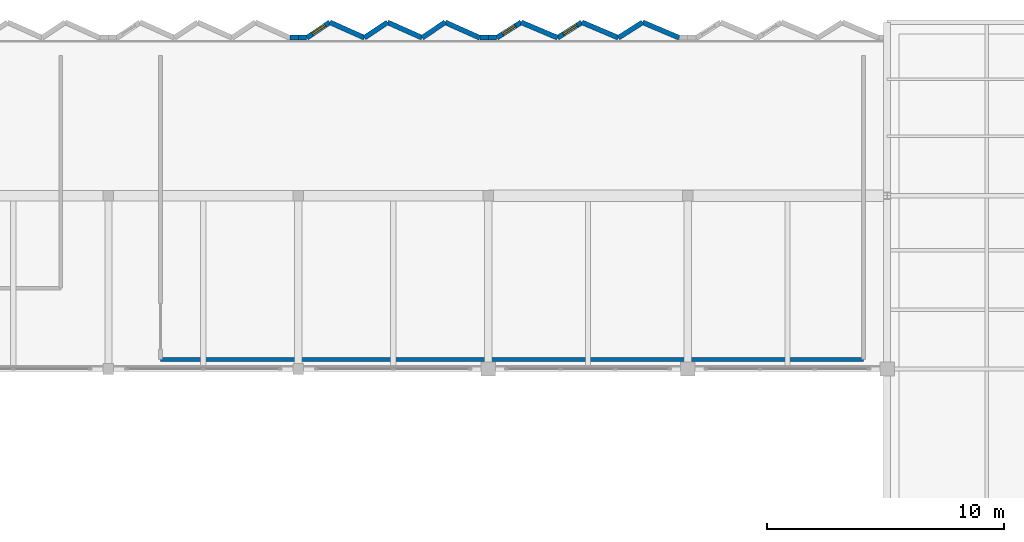
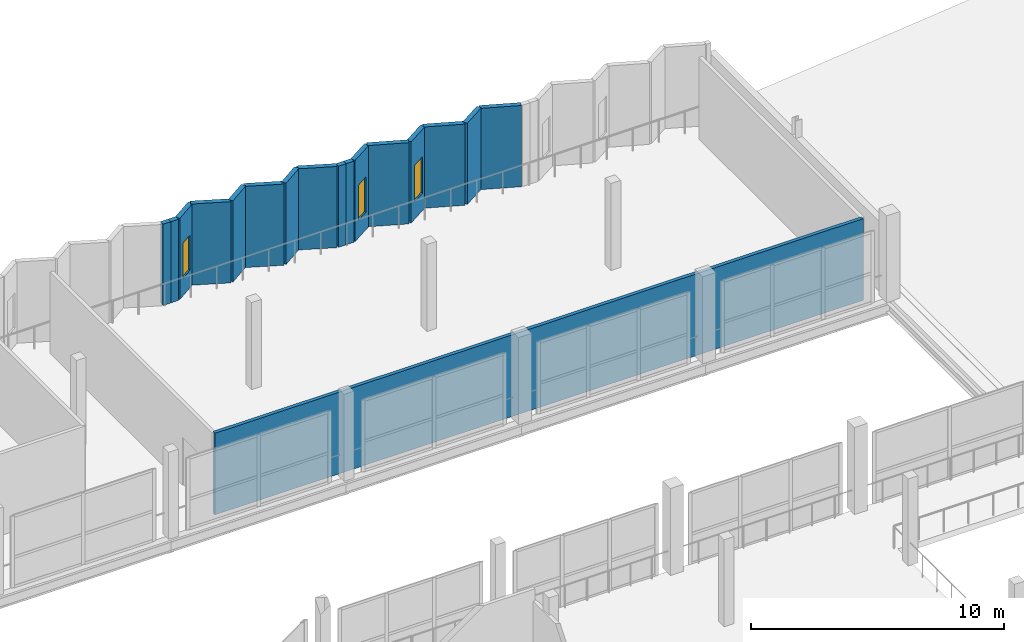
# One storey, part 41 of 53: 17 walls, 3 windows, 3 openings.
"""IFC4 building model written with IfcOpenShell, lengths in metres."""

from ifc_helpers import new_model, si_unit, direction, frame, frame_2d, origin, place, context, subcontext, project, spatial, rectangle, extrude, material, layer, layer_set, type_object, element, fill, save


model = new_model("IFC4")

# Units and contexts
model_context = context("Model", 3, precision=1e-05, world=origin(), true_north=direction((0.0, 1.0)))
body_context = subcontext(model_context, "Body", "Model", "MODEL_VIEW")
ifc_project = project(units=[si_unit("LENGTHUNIT", "METRE"), si_unit("AREAUNIT", "SQUARE_METRE"), si_unit("VOLUMEUNIT", "CUBIC_METRE"), si_unit("PLANEANGLEUNIT", "RADIAN"), si_unit("MASSUNIT", "GRAM", prefix="KILO")], contexts=[model_context])

# Site, building, storey
site_placement = place(None, origin())
site = spatial("IfcSite", under=ifc_project, at=site_placement, CompositionType="ELEMENT")
building_placement = place(site_placement, origin())
building = spatial("IfcBuilding", under=site, at=building_placement, Name="Vharandega Faculty of Natural Sciences", CompositionType="ELEMENT")
storey_placement = place(building_placement, frame((0.0, 0.0, 10.199951171875)))
storey = spatial("IfcBuildingStorey", under=building, at=storey_placement, Name="L02", CompositionType="ELEMENT", Elevation=10.199951171875)

# Walls
ifc_material_1 = material(Name="Precast concrete C40/50", Category="concrete")
ifc_layer_1 = layer(ifc_material_1, 0.2099609375, Name="Precast concrete C40/50")
ifc_layer_set_1 = layer_set([ifc_layer_1], Name="Precast concrete C40/50")
wall_type_1 = type_object("IfcWallType", Name="Commons Sawtooth Street Wall 210", PredefinedType="SOLIDWALL", material=ifc_layer_set_1)
for number, where, z_axis, x_axis, name in (
    (1, (47.64990234375, 110.949951171875, 0.0), (0.0, 0.0, 1.0), (1.0, 0.0, 0.0), "Exterior Wall EW-V2SHL-L02-7R"),
    (2, (48.0, 110.949951171875, 0.0), (0.0, 0.0, 1.0), (1.0, 0.0, 0.0), "Exterior Wall EW-V2SHL-L02-7L"),
    (3, (55.64990234375, 110.949951171875, 0.0), (0.0, 0.0, 1.0), (1.0, 0.0, 0.0), "Exterior Wall EW-V2SHL-L02-8R"),
    (4, (56.0, 110.949951171875, 0.0), (0.0, 0.0, 1.0), (1.0, 0.0, 0.0), "Exterior Wall EW-V2SHL-L02-8L"),
):
    element("IfcWall", number, at=place(storey_placement, frame(where, z_axis=z_axis, x_axis=x_axis)), inside=storey, type_object=wall_type_1, Name=name, PredefinedType="SOLIDWALL", context=body_context, shape_type="SweptSolid", body=[
        extrude(rectangle(XDim=0.35009765625, YDim=0.2099609375, at=frame_2d((0.175048828125, 0.0))), origin(), (0.0, 0.0, 1.0), 3.920166015625),
    ])

# Wall, opening, window
wall_1_placement = place(storey_placement, frame((48.360107421875, 110.949951171875, 0.0), z_axis=(0.0, 0.0, 1.0), x_axis=(0.830858868059, 0.556483190553, 0.0)))
wall_1 = element("IfcWall", 5, at=wall_1_placement, inside=storey, type_object=wall_type_1, Name="Exterior Wall EW-V2SAW-L02-19G", PredefinedType="SOLIDWALL", context=body_context, shape_type="SweptSolid", body=[
    extrude(rectangle(XDim=1.168212890625, YDim=0.2099609375, at=frame_2d((0.583984375, 0.0))), origin(), (0.0, 0.0, 1.0), 3.920166015625),
])
opening_1_placement = place(wall_1_placement, frame((0.280029296875, 0.0, 0.85009765625)))
opening_1 = element("IfcOpeningElement", 6, at=opening_1_placement, cuts=wall_1, Name="Opening WN-07", PredefinedType="OPENING", context=body_context, shape_type="SweptSolid", body=[
    extrude(rectangle(XDim=0.64990234375, YDim=1.699951171875, at=frame_2d((0.324951171875, 0.85009765625))), frame((0.0, 0.114990234375, 0.0), z_axis=(0.0, -1.0, 0.0), x_axis=(1.0, 0.0, 0.0)), (0.0, 0.0, 1.0), 0.22998046875),
])
ifc_material_2 = material(Name="Double-glazed solar-control glass in thermally broken aluminium frame", Category="aluminium")
window_type_1 = type_object("IfcWindowType", Name="WIN-COM-065x170", PartitioningType="SINGLE_PANEL", PredefinedType="WINDOW", material=ifc_material_2)
window_1_placement = place(opening_1_placement, origin())
window_1 = element("IfcWindow", 7, at=window_1_placement, inside=storey, type_object=window_type_1, Name="Window WIN-L02-0178", OverallHeight=1.699951171875, OverallWidth=0.64990234375, PartitioningType="SINGLE_PANEL", PredefinedType="WINDOW", context=body_context, shape_type="SweptSolid", body=[
    extrude(rectangle(XDim=0.64990234375, YDim=1.699951171875, at=frame_2d((0.324951171875, 0.85009765625))), frame((0.0, 0.030029296875, 0.0), z_axis=(0.0, -1.0, 0.0), x_axis=(1.0, 0.0, 0.0)), (0.0, 0.0, 1.0), 0.06005859375),
])
fill(opening_1, window_1)

# Walls
wall_2_placement = place(storey_placement, frame((49.330810546875, 111.60009765625, 0.0), z_axis=(0.0, 0.0, 1.0), x_axis=(0.913083928543, -0.407771675618, 0.0)))
element("IfcWall", 8, at=wall_2_placement, inside=storey, type_object=wall_type_1, Name="Exterior Wall EW-V2SAW-L02-19S", PredefinedType="SOLIDWALL", context=body_context, shape_type="SweptSolid", body=[
    extrude(rectangle(XDim=1.594482421875, YDim=0.2099609375, at=frame_2d((0.79736328125, 0.0))), origin(), (0.0, 0.0, 1.0), 3.920166015625),
])
wall_3_placement = place(storey_placement, frame((50.78662109375, 110.949951171875, 0.0), z_axis=(0.0, 0.0, 1.0), x_axis=(0.830858868059, 0.556483190553, 0.0)))
element("IfcWall", 9, at=wall_3_placement, inside=storey, type_object=wall_type_1, Name="Exterior Wall EW-V2SAW-L02-20G", PredefinedType="SOLIDWALL", context=body_context, shape_type="SweptSolid", body=[
    extrude(rectangle(XDim=1.168212890625, YDim=0.2099609375, at=frame_2d((0.583984375, 0.0))), origin(), (0.0, 0.0, 1.0), 3.920166015625),
])
wall_4_placement = place(storey_placement, frame((51.75732421875, 111.60009765625, 0.0), z_axis=(0.0, 0.0, 1.0), x_axis=(0.913109384471, -0.407714669826, 0.0)))
element("IfcWall", 10, at=wall_4_placement, inside=storey, type_object=wall_type_1, Name="Exterior Wall EW-V2SAW-L02-20S", PredefinedType="SOLIDWALL", context=body_context, shape_type="SweptSolid", body=[
    extrude(rectangle(XDim=1.5947265625, YDim=0.2099609375, at=frame_2d((0.79736328125, 0.0))), origin(), (0.0, 0.0, 1.0), 3.920166015625),
])
wall_5_placement = place(storey_placement, frame((53.21337890625, 110.949951171875, 0.0), z_axis=(0.0, 0.0, 1.0), x_axis=(0.830858868059, 0.556483190553, 0.0)))
element("IfcWall", 11, at=wall_5_placement, inside=storey, type_object=wall_type_1, Name="Exterior Wall EW-V2SAW-L02-21G", PredefinedType="SOLIDWALL", context=body_context, shape_type="SweptSolid", body=[
    extrude(rectangle(XDim=1.168212890625, YDim=0.2099609375, at=frame_2d((0.583984375, 0.0))), origin(), (0.0, 0.0, 1.0), 3.920166015625),
])
wall_6_placement = place(storey_placement, frame((54.18408203125, 111.60009765625, 0.0), z_axis=(0.0, 0.0, 1.0), x_axis=(0.913083928543, -0.407771675618, 0.0)))
element("IfcWall", 12, at=wall_6_placement, inside=storey, type_object=wall_type_1, Name="Exterior Wall EW-V2SAW-L02-21S", PredefinedType="SOLIDWALL", context=body_context, shape_type="SweptSolid", body=[
    extrude(rectangle(XDim=1.594482421875, YDim=0.2099609375, at=frame_2d((0.79736328125, 0.0))), origin(), (0.0, 0.0, 1.0), 3.920166015625),
])

# Wall, opening, window
wall_7_placement = place(storey_placement, frame((56.360107421875, 110.949951171875, 0.0), z_axis=(0.0, 0.0, 1.0), x_axis=(0.844199803058, 0.536028630315, 0.0)))
wall_7 = element("IfcWall", 13, at=wall_7_placement, inside=storey, type_object=wall_type_1, Name="Exterior Wall EW-V2SAW-L02-22G", PredefinedType="SOLIDWALL", context=body_context, shape_type="SweptSolid", body=[
    extrude(rectangle(XDim=1.212890625, YDim=0.2099609375, at=frame_2d((0.6064453125, 0.0))), origin(), (0.0, 0.0, 1.0), 3.920166015625),
])
opening_2_placement = place(wall_7_placement, frame((0.280029296875, 0.0, 0.85009765625)))
opening_2 = element("IfcOpeningElement", 14, at=opening_2_placement, cuts=wall_7, Name="Opening WN-07", PredefinedType="OPENING", context=body_context, shape_type="SweptSolid", body=[
    extrude(rectangle(XDim=0.64990234375, YDim=1.699951171875, at=frame_2d((0.324951171875, 0.85009765625))), frame((0.0, 0.114990234375, 0.0), z_axis=(0.0, -1.0, 0.0), x_axis=(1.0, 0.0, 0.0)), (0.0, 0.0, 1.0), 0.22998046875),
])
window_2_placement = place(opening_2_placement, origin())
window_2 = element("IfcWindow", 15, at=window_2_placement, inside=storey, type_object=window_type_1, Name="Window WIN-L02-0179", OverallHeight=1.699951171875, OverallWidth=0.64990234375, PartitioningType="SINGLE_PANEL", PredefinedType="WINDOW", context=body_context, shape_type="SweptSolid", body=[
    extrude(rectangle(XDim=0.64990234375, YDim=1.699951171875, at=frame_2d((0.324951171875, 0.85009765625))), frame((0.0, 0.030029296875, 0.0), z_axis=(0.0, -1.0, 0.0), x_axis=(1.0, 0.0, 0.0)), (0.0, 0.0, 1.0), 0.06005859375),
])
fill(opening_2, window_2)

# Wall
wall_8_placement = place(storey_placement, frame((57.384033203125, 111.60009765625, 0.0), z_axis=(0.0, 0.0, 1.0), x_axis=(0.920892481687, -0.389816671234, 0.0)))
element("IfcWall", 16, at=wall_8_placement, inside=storey, type_object=wall_type_1, Name="Exterior Wall EW-V2SAW-L02-22S", PredefinedType="SOLIDWALL", context=body_context, shape_type="SweptSolid", body=[
    extrude(rectangle(XDim=1.667724609375, YDim=0.2099609375, at=frame_2d((0.833984375, 0.0))), origin(), (0.0, 0.0, 1.0), 3.920166015625),
])

# Wall, opening, window
wall_9_placement = place(storey_placement, frame((58.919921875, 110.949951171875, 0.0), z_axis=(0.0, 0.0, 1.0), x_axis=(0.844257623592, 0.535937557003, 0.0)))
wall_9 = element("IfcWall", 17, at=wall_9_placement, inside=storey, type_object=wall_type_1, Name="Exterior Wall EW-V2SAW-L02-23G", PredefinedType="SOLIDWALL", context=body_context, shape_type="SweptSolid", body=[
    extrude(rectangle(XDim=1.213134765625, YDim=0.2099609375, at=frame_2d((0.6064453125, 0.0))), origin(), (0.0, 0.0, 1.0), 3.920166015625),
])
opening_3_placement = place(wall_9_placement, frame((0.280029296875, 0.0, 0.85009765625)))
opening_3 = element("IfcOpeningElement", 18, at=opening_3_placement, cuts=wall_9, Name="Opening WN-08", PredefinedType="OPENING", context=body_context, shape_type="SweptSolid", body=[
    extrude(rectangle(XDim=0.699951171875, YDim=1.75, at=frame_2d((0.35009765625, 0.875))), frame((0.0, 0.114990234375, 0.0), z_axis=(0.0, -1.0, 0.0), x_axis=(1.0, 0.0, 0.0)), (0.0, 0.0, 1.0), 0.22998046875),
])
ifc_material_3 = material(Name="Double-glazed solar-control glass in thermally broken aluminium frame", Category="aluminium")
window_type_2 = type_object("IfcWindowType", Name="WIN-COM-070x175", PartitioningType="SINGLE_PANEL", PredefinedType="WINDOW", material=ifc_material_3)
window_3_placement = place(opening_3_placement, origin())
window_3 = element("IfcWindow", 19, at=window_3_placement, inside=storey, type_object=window_type_2, Name="Window WIN-L02-0180", OverallHeight=1.75, OverallWidth=0.699951171875, PartitioningType="SINGLE_PANEL", PredefinedType="WINDOW", context=body_context, shape_type="SweptSolid", body=[
    extrude(rectangle(XDim=0.699951171875, YDim=1.75, at=frame_2d((0.35009765625, 0.875))), frame((0.0, 0.030029296875, 0.0), z_axis=(0.0, -1.0, 0.0), x_axis=(1.0, 0.0, 0.0)), (0.0, 0.0, 1.0), 0.06005859375),
])
fill(opening_3, window_3)

# Walls
wall_10_placement = place(storey_placement, frame((59.944091796875, 111.60009765625, 0.0), z_axis=(0.0, 0.0, 1.0), x_axis=(0.920892481687, -0.389816671234, 0.0)))
element("IfcWall", 20, at=wall_10_placement, inside=storey, type_object=wall_type_1, Name="Exterior Wall EW-V2SAW-L02-23S", PredefinedType="SOLIDWALL", context=body_context, shape_type="SweptSolid", body=[
    extrude(rectangle(XDim=1.667724609375, YDim=0.2099609375, at=frame_2d((0.833984375, 0.0))), origin(), (0.0, 0.0, 1.0), 3.920166015625),
])
wall_11_placement = place(storey_placement, frame((61.47998046875, 110.949951171875, 0.0), z_axis=(0.0, 0.0, 1.0), x_axis=(0.844199803058, 0.536028630315, 0.0)))
element("IfcWall", 21, at=wall_11_placement, inside=storey, type_object=wall_type_1, Name="Exterior Wall EW-V2SAW-L02-24G", PredefinedType="SOLIDWALL", context=body_context, shape_type="SweptSolid", body=[
    extrude(rectangle(XDim=1.212890625, YDim=0.2099609375, at=frame_2d((0.6064453125, 0.0))), origin(), (0.0, 0.0, 1.0), 3.920166015625),
])
wall_12_placement = place(storey_placement, frame((62.50390625, 111.60009765625, 0.0), z_axis=(0.0, 0.0, 1.0), x_axis=(0.920914721045, -0.389764129393, 0.0)))
element("IfcWall", 22, at=wall_12_placement, inside=storey, type_object=wall_type_1, Name="Exterior Wall EW-V2SAW-L02-24S", PredefinedType="SOLIDWALL", context=body_context, shape_type="SweptSolid", body=[
    extrude(rectangle(XDim=1.66796875, YDim=0.2099609375, at=frame_2d((0.833984375, 0.0))), origin(), (0.0, 0.0, 1.0), 3.920166015625),
])
ifc_material_4 = material(Name="Gypsum fire-board on steel stud", Category="steel")
ifc_layer_2 = layer(ifc_material_4, 0.159912109375, Name="Gypsum fire-board on steel stud")
ifc_layer_set_2 = layer_set([ifc_layer_2], Name="Gypsum fire-board on steel stud")
wall_type_2 = type_object("IfcWallType", Name="Laboratory Fire Corridor Wall 160", PredefinedType="PARTITIONING", material=ifc_layer_set_2)
wall_13_placement = place(storey_placement, frame((42.199951171875, 97.39990234375, 0.0), z_axis=(0.0, 0.0, 1.0), x_axis=(1.0, 0.0, 0.0)))
element("IfcWall", 23, at=wall_13_placement, inside=storey, type_object=wall_type_2, Name="Interior Wall PW-L02-R11S", PredefinedType="PARTITIONING", context=body_context, shape_type="SweptSolid", body=[
    extrude(rectangle(XDim=29.60009765625, YDim=0.159912109375, at=frame_2d((14.800048828125, 0.0))), origin(), (0.0, 0.0, 1.0), 3.93994140625),
])

save(model, "model.ifc")
